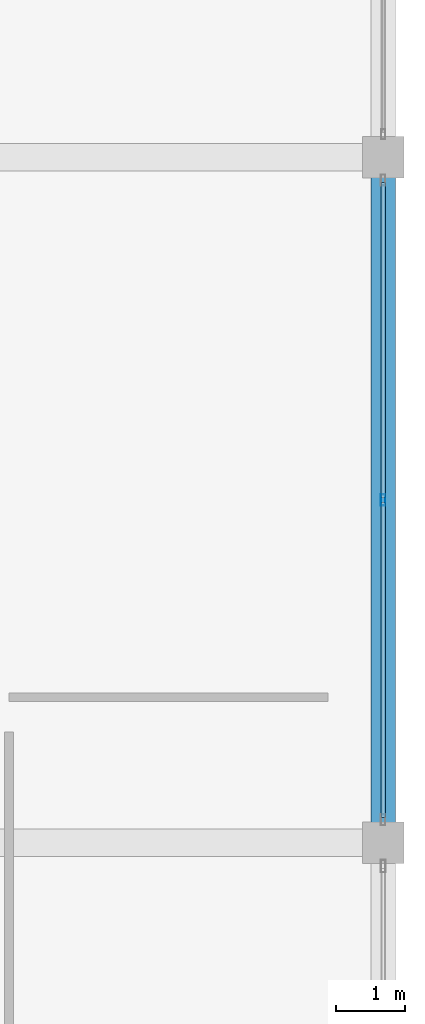
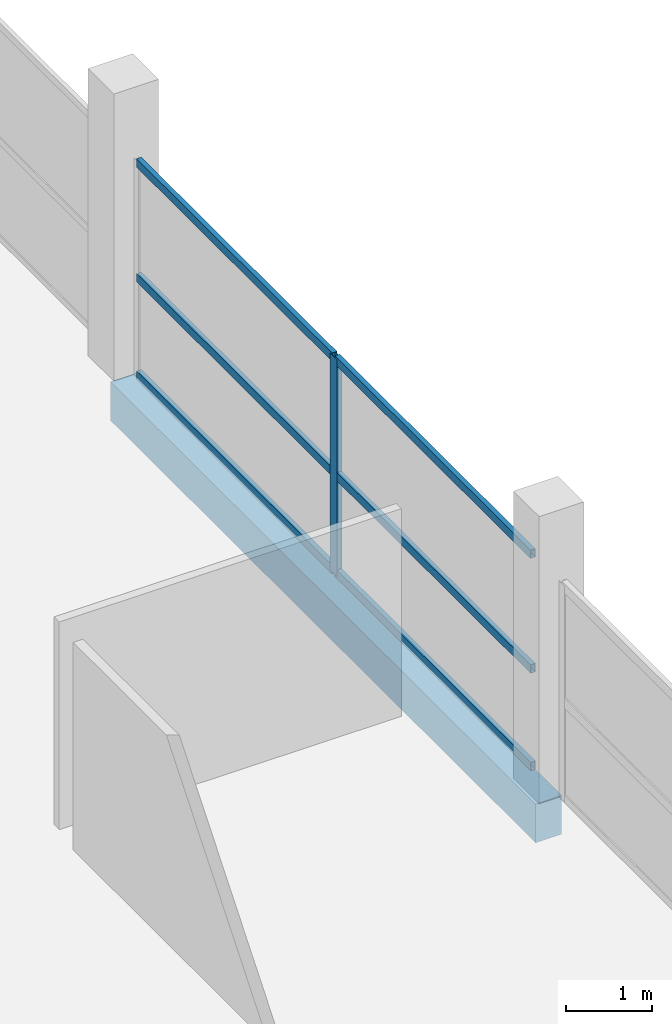
# One storey, part 39 of 70: 7 members, 1 beam, 1 element without a shape of its own.
"""IFC4 building model written with IfcOpenShell, lengths in metres."""

from ifc_helpers import new_model, si_unit, direction, frame, origin, origin_2d, place, context, subcontext, project, spatial, rectangle, hollow_rectangle, extrude, material, layer, layer_set, material_profile, profile_set, type_object, element, aggregate, save


model = new_model("IFC4")

# Units and contexts
model_context = context("Model", 3, precision=1e-05, world=origin(), true_north=direction((0.0, 1.0)))
body_context = subcontext(model_context, "Body", "Model", "MODEL_VIEW")
ifc_project = project(units=[si_unit("LENGTHUNIT", "METRE"), si_unit("AREAUNIT", "SQUARE_METRE"), si_unit("VOLUMEUNIT", "CUBIC_METRE"), si_unit("PLANEANGLEUNIT", "RADIAN"), si_unit("MASSUNIT", "GRAM", prefix="KILO")], contexts=[model_context])

# Site, building, storey
site_placement = place(None, origin())
site = spatial("IfcSite", under=ifc_project, at=site_placement, CompositionType="ELEMENT")
building_placement = place(site_placement, origin())
building = spatial("IfcBuilding", under=site, at=building_placement, Name="Sillaruma Civic Art Gallery", CompositionType="ELEMENT")
storey_placement = place(building_placement, frame((0.0, 0.0, 66.300048828125)))
storey = spatial("IfcBuildingStorey", under=building, at=storey_placement, Name="L13", CompositionType="ELEMENT", Elevation=66.300048828125)

# Beam
ifc_material_1 = material(Name="Concrete H35 (35 MPa)", Category="concrete")
ifc_material_profile_1 = material_profile(ifc_material_1, rectangle(XDim=0.35009765625, YDim=0.550048828125, at=origin_2d()), Name="RCB350x550")
ifc_profile_set_1 = profile_set([ifc_material_profile_1], Name="Concrete H35 (35 MPa)")
beam_type = type_object("IfcBeamType", Name="BM-SPANDREL-RCB350x550", PredefinedType="SPANDREL", material=ifc_profile_set_1)
beam_placement = place(storey_placement, frame((114.39990234375, 59.39990234375, -0.505126953125), z_axis=(0.0, 1.0, 0.0), x_axis=(-1.0, 0.0, 0.0)))
element("IfcBeam", 1, at=beam_placement, inside=storey, type_object=beam_type, Name="Beam BS-04 (L12:N:7-8)", PredefinedType="SPANDREL", context=body_context, shape_type="SweptSolid", body=[
    extrude(rectangle(XDim=0.35009765625, YDim=0.550048828125, at=origin_2d()), origin(), (0.0, 0.0, 1.0), 9.900146484375),
])

# Curtain wall, members
ifc_material_2 = material(Name="Thermally Broken Extruded Aluminium 6063-T6", Category="aluminium")
ifc_layer = layer(ifc_material_2, 0.159912109375, Name="Thermally Broken Extruded Aluminium 6063-T6")
ifc_layer_set = layer_set([ifc_layer], Name="Thermally Broken Extruded Aluminium 6063-T6")
curtain_wall_type = type_object("IfcCurtainWallType", Name="CW-UNI-102", PredefinedType="NOTDEFINED", material=ifc_layer_set)
curtain_wall_placement = place(storey_placement, origin())
curtain_wall = element("IfcCurtainWall", 2, at=curtain_wall_placement, inside=storey, type_object=curtain_wall_type, Name="Unitised Curtain Wall CW-102 (CW-L13-EBE-5)", PredefinedType="NOTDEFINED")
ifc_material_profile_2 = material_profile(ifc_material_2, hollow_rectangle(XDim=0.06494140625, YDim=0.159912109375, WallThickness=0.00390625, at=origin_2d()), Name="CWM65x160")
ifc_profile_set_2 = profile_set([ifc_material_profile_2], Name="Thermally Broken Extruded Aluminium 6063-T6")
member_type_1 = type_object("IfcMemberType", Name="MEM-MUL-CWM65x160", PredefinedType="MULLION", material=ifc_profile_set_2)
member_1_placement = place(storey_placement, frame((114.39990234375, 64.35009765625, 0.0), z_axis=(0.0, 0.0, 1.0), x_axis=(-1.0, 0.0, 0.0)))
member_1 = element("IfcMember", 3, at=member_1_placement, type_object=member_type_1, Name="CW-102 mullion 2", PredefinedType="MULLION", context=body_context, shape_type="SweptSolid", body=[
    extrude(hollow_rectangle(XDim=0.06494140625, YDim=0.159912109375, WallThickness=0.00390625, at=origin_2d()), origin(), (0.0, 0.0, 1.0), 3.079833984375),
])
ifc_material_profile_3 = material_profile(ifc_material_2, hollow_rectangle(XDim=0.06494140625, YDim=0.1201171875, WallThickness=0.00341796875, at=origin_2d()), Name="CWT65x120")
ifc_profile_set_3 = profile_set([ifc_material_profile_3], Name="Thermally Broken Extruded Aluminium 6063-T6")
member_type_2 = type_object("IfcMemberType", Name="MEM-TRN-CWT65x120", PredefinedType="USERDEFINED", material=ifc_profile_set_3)
member_2_placement = place(storey_placement, frame((114.39990234375, 59.764892578125, 0.032470703125), z_axis=(0.0, 1.0, 0.0), x_axis=(-1.0, 0.0, 0.0)))
member_2 = element("IfcMember", 4, at=member_2_placement, type_object=member_type_2, Name="CW-102 transom 1.1", ObjectType="TRANSOM", PredefinedType="USERDEFINED", context=body_context, shape_type="SweptSolid", body=[
    extrude(hollow_rectangle(XDim=0.06494140625, YDim=0.1201171875, WallThickness=0.00341796875, at=origin_2d()), origin(), (0.0, 0.0, 1.0), 4.552490234375),
])
member_3_placement = place(storey_placement, frame((114.39990234375, 59.764892578125, 1.416748046875), z_axis=(0.0, 1.0, 0.0), x_axis=(-1.0, 0.0, 0.0)))
member_3 = element("IfcMember", 5, at=member_3_placement, type_object=member_type_2, Name="CW-102 transom 1.2", ObjectType="TRANSOM", PredefinedType="USERDEFINED", context=body_context, shape_type="SweptSolid", body=[
    extrude(hollow_rectangle(XDim=0.06494140625, YDim=0.1201171875, WallThickness=0.00341796875, at=origin_2d()), origin(), (0.0, 0.0, 1.0), 4.552490234375),
])
member_4_placement = place(storey_placement, frame((114.39990234375, 59.764892578125, 3.04736328125), z_axis=(0.0, 1.0, 0.0), x_axis=(-1.0, 0.0, 0.0)))
member_4 = element("IfcMember", 6, at=member_4_placement, type_object=member_type_2, Name="CW-102 transom 1.3", ObjectType="TRANSOM", PredefinedType="USERDEFINED", context=body_context, shape_type="SweptSolid", body=[
    extrude(hollow_rectangle(XDim=0.06494140625, YDim=0.1201171875, WallThickness=0.00341796875, at=origin_2d()), origin(), (0.0, 0.0, 1.0), 4.552490234375),
])
member_5_placement = place(storey_placement, frame((114.39990234375, 64.382568359375, 0.032470703125), z_axis=(0.0, 1.0, 0.0), x_axis=(-1.0, 0.0, 0.0)))
member_5 = element("IfcMember", 7, at=member_5_placement, type_object=member_type_2, Name="CW-102 transom 2.1", ObjectType="TRANSOM", PredefinedType="USERDEFINED", context=body_context, shape_type="SweptSolid", body=[
    extrude(hollow_rectangle(XDim=0.06494140625, YDim=0.1201171875, WallThickness=0.00341796875, at=origin_2d()), origin(), (0.0, 0.0, 1.0), 4.552490234375),
])
member_6_placement = place(storey_placement, frame((114.39990234375, 64.382568359375, 1.416748046875), z_axis=(0.0, 1.0, 0.0), x_axis=(-1.0, 0.0, 0.0)))
member_6 = element("IfcMember", 8, at=member_6_placement, type_object=member_type_2, Name="CW-102 transom 2.2", ObjectType="TRANSOM", PredefinedType="USERDEFINED", context=body_context, shape_type="SweptSolid", body=[
    extrude(hollow_rectangle(XDim=0.06494140625, YDim=0.1201171875, WallThickness=0.00341796875, at=origin_2d()), origin(), (0.0, 0.0, 1.0), 4.552490234375),
])
member_7_placement = place(storey_placement, frame((114.39990234375, 64.382568359375, 3.04736328125), z_axis=(0.0, 1.0, 0.0), x_axis=(-1.0, 0.0, 0.0)))
member_7 = element("IfcMember", 9, at=member_7_placement, type_object=member_type_2, Name="CW-102 transom 2.3", ObjectType="TRANSOM", PredefinedType="USERDEFINED", context=body_context, shape_type="SweptSolid", body=[
    extrude(hollow_rectangle(XDim=0.06494140625, YDim=0.1201171875, WallThickness=0.00341796875, at=origin_2d()), origin(), (0.0, 0.0, 1.0), 4.552490234375),
])
aggregate(curtain_wall, [member_1, member_2, member_3, member_4, member_5, member_6, member_7])

save(model, "model.ifc")
